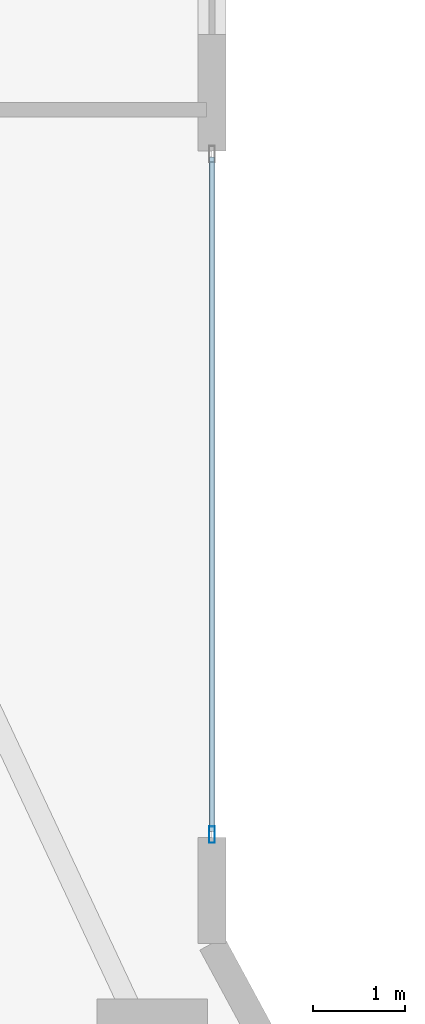
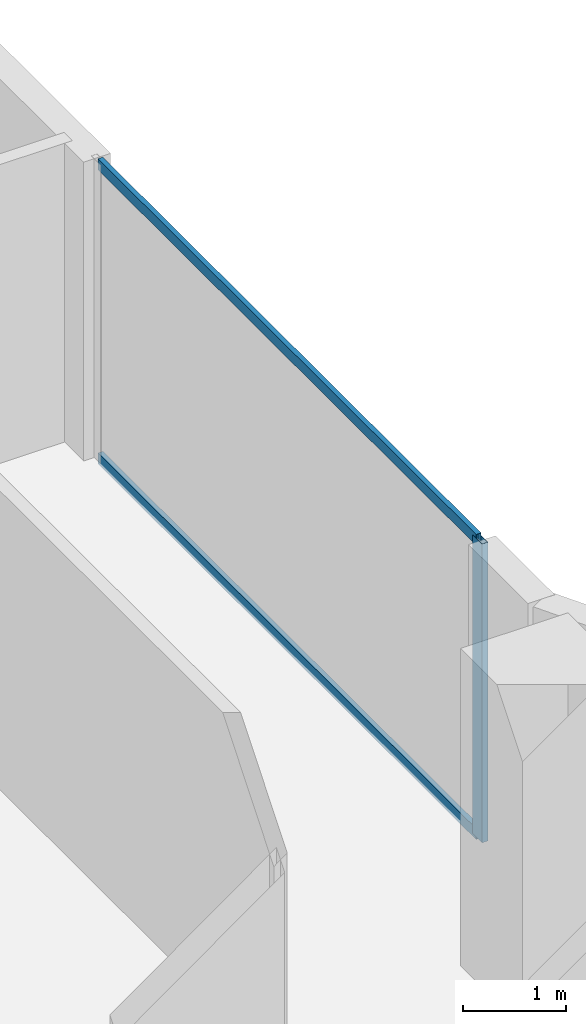
# One storey, part 14 of 32: 3 members, 1 element without a shape of its own.
"""IFC4 building model written with IfcOpenShell, lengths in metres."""

from ifc_helpers import new_model, si_unit, direction, frame, origin, origin_2d, place, context, subcontext, project, spatial, hollow_rectangle, extrude, material, layer, layer_set, material_profile, profile_set, type_object, element, aggregate, save


model = new_model("IFC4")

# Units and contexts
model_context = context("Model", 3, precision=1e-05, world=origin(), true_north=direction((0.0, 1.0)))
body_context = subcontext(model_context, "Body", "Model", "MODEL_VIEW")
ifc_project = project(units=[si_unit("LENGTHUNIT", "METRE"), si_unit("AREAUNIT", "SQUARE_METRE"), si_unit("VOLUMEUNIT", "CUBIC_METRE"), si_unit("PLANEANGLEUNIT", "RADIAN"), si_unit("MASSUNIT", "GRAM", prefix="KILO")], contexts=[model_context])

# Site, building, storey
site_placement = place(None, origin())
site = spatial("IfcSite", under=ifc_project, at=site_placement, CompositionType="ELEMENT")
building_placement = place(site_placement, origin())
building = spatial("IfcBuilding", under=site, at=building_placement, Name="Zuhayl Quay Hotel", CompositionType="ELEMENT")
storey_placement = place(building_placement, frame((0.0, 0.0, 196.14990234375)))
storey = spatial("IfcBuildingStorey", under=building, at=storey_placement, Name="L49", CompositionType="ELEMENT", Elevation=196.14990234375)

# Curtain wall, members
ifc_material_1 = material(Name="Anodised Aluminium 6063-T6", Category="aluminium")
ifc_layer = layer(ifc_material_1, 0.175048828125, Name="Anodised Aluminium 6063-T6", Category="aluminium")
ifc_layer_set = layer_set([ifc_layer], Name="Anodised Aluminium 6063-T6")
curtain_wall_type = type_object("IfcCurtainWallType", Name="CW_SYS_Z3", PredefinedType="USERDEFINED", material=ifc_layer_set)
curtain_wall_placement = place(storey_placement, origin())
curtain_wall = element("IfcCurtainWall", 1, at=curtain_wall_placement, inside=storey, type_object=curtain_wall_type, Name="L49 Curtain Wall ENV_L49_E11_CW1", ObjectType="UNITISED CURTAIN WALL", PredefinedType="USERDEFINED")
ifc_material_2 = material(Name="Black-anodised aluminium 6063-T6", Category="aluminium")
ifc_material_profile_1 = material_profile(ifc_material_2, hollow_rectangle(XDim=0.06494140625, YDim=0.179931640625, WallThickness=0.00341796875, at=origin_2d()), Name="ALU180X65")
ifc_profile_set_1 = profile_set([ifc_material_profile_1], Name="Black-anodised aluminium 6063-T6")
member_type_1 = type_object("IfcMemberType", Name="MB_CW_MUL_180", PredefinedType="MULLION", material=ifc_profile_set_1)
member_1_placement = place(storey_placement, frame((22.10009765625, 18.982421875, 0.0), z_axis=(0.0, 0.0, 1.0), x_axis=(1.0, 0.0, 0.0)))
member_1 = element("IfcMember", 2, at=member_1_placement, type_object=member_type_1, Name="CW-Z3 mullion 2", PredefinedType="MULLION", context=body_context, shape_type="SweptSolid", body=[
    extrude(hollow_rectangle(XDim=0.06494140625, YDim=0.179931640625, WallThickness=0.00341796875, at=origin_2d()), origin(), (0.0, 0.0, 1.0), 3.530029296875),
])
ifc_material_profile_2 = material_profile(ifc_material_2, hollow_rectangle(XDim=0.054931640625, YDim=0.1298828125, WallThickness=0.0029296875, at=origin_2d()), Name="ALU130X55")
ifc_profile_set_2 = profile_set([ifc_material_profile_2], Name="Black-anodised aluminium 6063-T6")
member_type_2 = type_object("IfcMemberType", Name="MB_CW_TRN_130", PredefinedType="USERDEFINED", material=ifc_profile_set_2)
member_2_placement = place(storey_placement, frame((22.10009765625, 26.3349609375, 0.027587890625), z_axis=(0.0, -1.0, 0.0), x_axis=(1.0, 0.0, 0.0)))
member_2 = element("IfcMember", 3, at=member_2_placement, type_object=member_type_2, Name="CW-Z3 transom 1.1", ObjectType="TRANSOM", PredefinedType="USERDEFINED", context=body_context, shape_type="SweptSolid", body=[
    extrude(hollow_rectangle(XDim=0.054931640625, YDim=0.1298828125, WallThickness=0.0029296875, at=origin_2d()), origin(), (0.0, 0.0, 1.0), 7.320068359375),
])
member_3_placement = place(storey_placement, frame((22.10009765625, 26.3349609375, 3.502685546875), z_axis=(0.0, -1.0, 0.0), x_axis=(1.0, 0.0, 0.0)))
member_3 = element("IfcMember", 4, at=member_3_placement, type_object=member_type_2, Name="CW-Z3 transom 1.2", ObjectType="TRANSOM", PredefinedType="USERDEFINED", context=body_context, shape_type="SweptSolid", body=[
    extrude(hollow_rectangle(XDim=0.054931640625, YDim=0.1298828125, WallThickness=0.0029296875, at=origin_2d()), origin(), (0.0, 0.0, 1.0), 7.320068359375),
])
aggregate(curtain_wall, [member_1, member_2, member_3])

save(model, "model.ifc")
